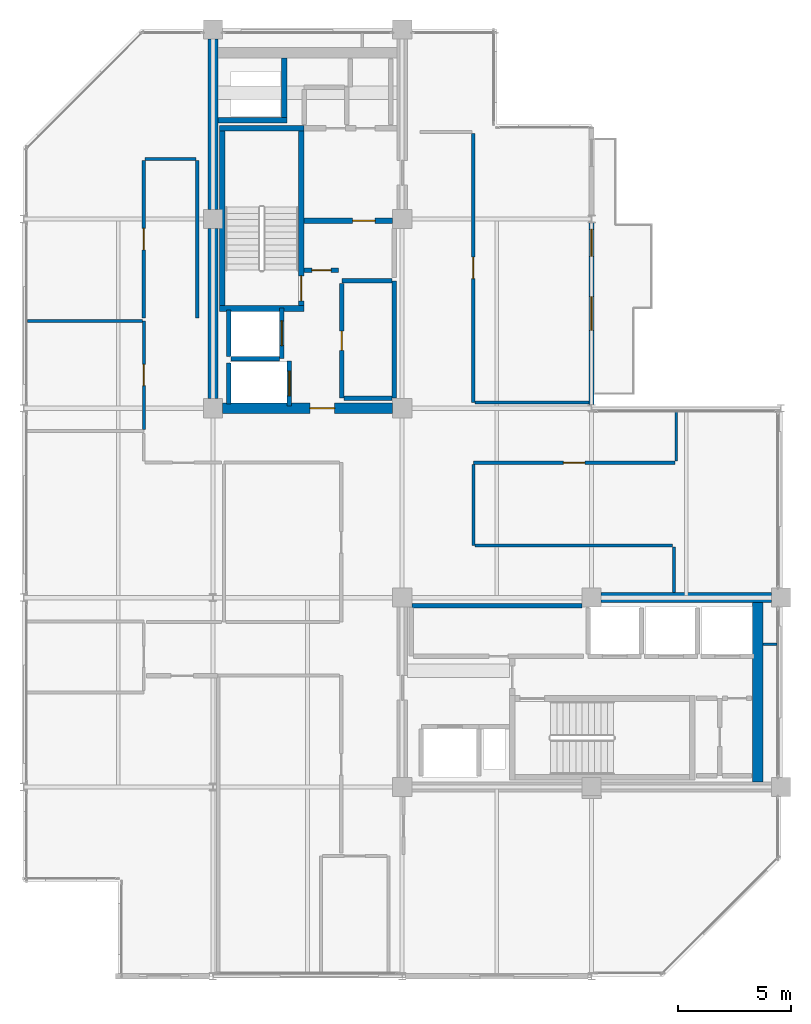
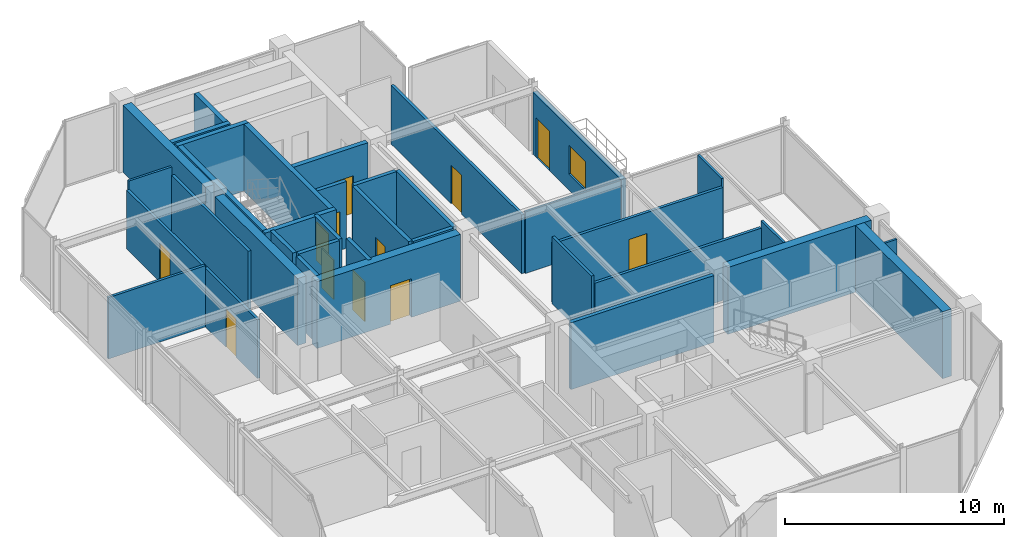
# One storey, part 21 of 24: 37 walls, 12 doors, 1 window, 13 openings.
"""IFC4 building model written with IfcOpenShell, lengths in metres."""

from ifc_helpers import new_model, si_unit, direction, frame, frame_2d, origin, place, context, subcontext, project, spatial, rectangle, extrude, material, layer, layer_set, type_object, element, fill, save


model = new_model("IFC4")

# Units and contexts
model_context = context("Model", 3, precision=1e-05, world=origin(), true_north=direction((0.0, 1.0)))
body_context = subcontext(model_context, "Body", "Model", "MODEL_VIEW")
ifc_project = project(units=[si_unit("LENGTHUNIT", "METRE"), si_unit("AREAUNIT", "SQUARE_METRE"), si_unit("VOLUMEUNIT", "CUBIC_METRE"), si_unit("PLANEANGLEUNIT", "RADIAN"), si_unit("MASSUNIT", "GRAM", prefix="KILO")], contexts=[model_context])

# Site, building, storey
site_placement = place(None, origin())
site = spatial("IfcSite", under=ifc_project, at=site_placement, CompositionType="ELEMENT")
building_placement = place(site_placement, origin())
building = spatial("IfcBuilding", under=site, at=building_placement, Name="Nerrivon Quay Data Exchange", CompositionType="ELEMENT")
storey_placement = place(building_placement, frame((0.0, 0.0, 306.199951171875)))
storey = spatial("IfcBuildingStorey", under=building, at=storey_placement, Name="L73", CompositionType="ELEMENT", Elevation=306.199951171875)

# Wall, openings, door, window
ifc_material_1 = material(Name="Architectural terracotta precast concrete N50 (50 MPa)", Category="masonry")
ifc_layer_1 = layer(ifc_material_1, 0.239990234375)
ifc_layer_set_1 = layer_set([ifc_layer_1], Name="Architectural terracotta precast concrete N50 (50 MPa)")
wall_type_1 = type_object("IfcWallType", Name="EW-PREC-240", PredefinedType="STANDARD", material=ifc_layer_set_1)
wall_1_placement = place(storey_placement, frame((25.199951171875, 33.4365234375, 0.0), z_axis=(0.0, 0.0, 1.0), x_axis=(0.0, -1.0, 0.0)))
wall_1 = element("IfcWall", 1, at=wall_1_placement, inside=storey, type_object=wall_type_1, Name="L73 Terrace Host Wall 20", PredefinedType="STANDARD", context=body_context, shape_type="SweptSolid", body=[
    extrude(rectangle(XDim=8.072998046875, YDim=0.239990234375, at=frame_2d((4.03662109375, 0.0))), origin(), (0.0, 0.0, 1.0), 3.47509765625),
])
opening_1_placement = place(wall_1_placement, frame((0.300048828125, 0.0, 0.0)))
opening_1 = element("IfcOpeningElement", 2, at=opening_1_placement, cuts=wall_1, Name="Opening TD1", PredefinedType="OPENING", context=body_context, shape_type="SweptSolid", body=[
    extrude(rectangle(XDim=1.199951171875, YDim=2.199951171875, at=frame_2d((0.60009765625, 1.10009765625))), frame((0.0, 0.1298828125, 0.0), z_axis=(0.0, -1.0, 0.0), x_axis=(1.0, 0.0, 0.0)), (0.0, 0.0, 1.0), 0.260009765625),
])
opening_2_placement = place(wall_1_placement, frame((3.281494140625, 0.0, 0.89990234375)))
opening_2 = element("IfcOpeningElement", 3, at=opening_2_placement, cuts=wall_1, Name="Opening WN4", PredefinedType="OPENING", context=body_context, shape_type="SweptSolid", body=[
    extrude(rectangle(XDim=1.5, YDim=1.60009765625, at=frame_2d((0.75, 0.800048828125))), frame((0.0, 0.1298828125, 0.0), z_axis=(0.0, -1.0, 0.0), x_axis=(1.0, 0.0, 0.0)), (0.0, 0.0, 1.0), 0.260009765625),
])
ifc_material_2 = material(Name="Double-glazed low-E solar control glass", Category="glass")
door_type_1 = type_object("IfcDoorType", Name="DR-TERR-1200x2200", OperationType="NOTDEFINED", PredefinedType="DOOR", material=ifc_material_2)
door_1_placement = place(opening_1_placement, origin())
door_1 = element("IfcDoor", 4, at=door_1_placement, inside=storey, type_object=door_type_1, Name="L73 Outdoor Terrace Access Door 20", OperationType="SINGLE_SWING_LEFT", OverallHeight=2.199951171875, OverallWidth=1.199951171875, PredefinedType="DOOR", context=body_context, shape_type="SweptSolid", body=[
    extrude(rectangle(XDim=1.199951171875, YDim=2.199951171875, at=frame_2d((0.60009765625, 1.10009765625))), frame((0.0, 0.02490234375, 0.0), z_axis=(0.0, -1.0, 0.0), x_axis=(1.0, 0.0, 0.0)), (0.0, 0.0, 1.0), 0.050048828125),
])
fill(opening_1, door_1)
window_type = type_object("IfcWindowType", Name="WIN-W4-1500x1600", PartitioningType="SINGLE_PANEL", PredefinedType="WINDOW", material=ifc_material_2)
window_placement = place(opening_2_placement, origin())
window = element("IfcWindow", 5, at=window_placement, inside=storey, type_object=window_type, Name="L73 Terrace Side Window 20", OverallHeight=1.60009765625, OverallWidth=1.5, PartitioningType="SINGLE_PANEL", PredefinedType="WINDOW", context=body_context, shape_type="SweptSolid", body=[
    extrude(rectangle(XDim=1.5, YDim=1.60009765625, at=frame_2d((0.75, 0.800048828125))), frame((0.0, 0.030029296875, 0.0), z_axis=(0.0, -1.0, 0.0), x_axis=(1.0, 0.0, 0.0)), (0.0, 0.0, 1.0), 0.06005859375),
])
fill(opening_2, window)

# Walls
ifc_material_3 = material(Name="Concrete N50 (50 MPa)", Category="concrete")
ifc_layer_2 = layer(ifc_material_3, 0.449951171875)
ifc_layer_set_2 = layer_set([ifc_layer_2], Name="Concrete N50 (50 MPa)")
wall_type_2 = type_object("IfcWallType", Name="WALL-CW-550", PredefinedType="SHEAR", material=ifc_layer_set_2)
for number, where, z_axis, x_axis, name in (
    (6, (8.39990234375, 25.625, 0.0), (0.0, 0.0, 1.0), (0.0, 1.0, 0.0), "L73 West Split-Core Shear Wall WCW-W1"),
    (7, (8.39990234375, 34.02490234375, 0.0), (0.0, 0.0, 1.0), (0.0, 1.0, 0.0), "L73 West Split-Core Shear Wall WCW-W2"),
):
    element("IfcWall", number, at=place(storey_placement, frame(where, z_axis=z_axis, x_axis=x_axis)), inside=storey, type_object=wall_type_2, Name=name, PredefinedType="SHEAR", context=body_context, shape_type="SweptSolid", body=[
        extrude(rectangle(XDim=7.550048828125, YDim=0.449951171875, at=frame_2d((3.77490234375, 0.0))), origin(), (0.0, 0.0, 1.0), 3.72509765625),
    ])

# Wall, opening, door
wall_2_placement = place(storey_placement, frame((8.824951171875, 25.199951171875, 0.0), z_axis=(0.0, 0.0, 1.0), x_axis=(1.0, 0.0, 0.0)))
wall_2 = element("IfcWall", 8, at=wall_2_placement, inside=storey, type_object=wall_type_2, Name="L73 West Split-Core Shear Wall WCW-S1", PredefinedType="SHEAR", context=body_context, shape_type="SweptSolid", body=[
    extrude(rectangle(XDim=7.550048828125, YDim=0.449951171875, at=frame_2d((3.77490234375, 0.0))), origin(), (0.0, 0.0, 1.0), 3.72509765625),
])
opening_3_placement = place(wall_2_placement, frame((3.875, 0.0, 0.0)))
opening_3 = element("IfcOpeningElement", 9, at=opening_3_placement, cuts=wall_2, Name="Opening FD-120", PredefinedType="OPENING", context=body_context, shape_type="SweptSolid", body=[
    extrude(rectangle(XDim=1.10009765625, YDim=2.14990234375, at=frame_2d((0.550048828125, 1.074951171875))), frame((0.0, 0.23486328125, 0.0), z_axis=(0.0, -1.0, 0.0), x_axis=(1.0, 0.0, 0.0)), (0.0, 0.0, 1.0), 0.469970703125),
])
ifc_material_4 = material(Name="Powder-coated galvanized steel sheet", Category="steel")
door_type_2 = type_object("IfcDoorType", Name="DR-FD120-1100", OperationType="NOTDEFINED", PredefinedType="DOOR", material=ifc_material_4)
door_2_placement = place(opening_3_placement, origin())
door_2 = element("IfcDoor", 10, at=door_2_placement, inside=storey, type_object=door_type_2, Name="L73 West Core Lobby Fire Door", OperationType="SINGLE_SWING_RIGHT", OverallHeight=2.14990234375, OverallWidth=1.10009765625, PredefinedType="DOOR", context=body_context, shape_type="SweptSolid", body=[
    extrude(rectangle(XDim=1.10009765625, YDim=2.14990234375, at=frame_2d((0.550048828125, 1.074951171875))), frame((0.0, 0.02490234375, 0.0), z_axis=(0.0, -1.0, 0.0), x_axis=(1.0, 0.0, 0.0)), (0.0, 0.0, 1.0), 0.050048828125),
])
fill(opening_3, door_2)

# Walls
wall_3_placement = place(storey_placement, frame((32.574951171875, 8.625, 0.0), z_axis=(0.0, 0.0, 1.0), x_axis=(0.0, 1.0, 0.0)))
element("IfcWall", 11, at=wall_3_placement, inside=storey, type_object=wall_type_2, Name="L73 East Split-Core Shear Wall ECW-E1", PredefinedType="SHEAR", context=body_context, shape_type="SweptSolid", body=[
    extrude(rectangle(XDim=7.949951171875, YDim=0.449951171875, at=frame_2d((3.97509765625, 0.0))), origin(), (0.0, 0.0, 1.0), 3.72509765625),
])
wall_4_placement = place(storey_placement, frame((25.625, 16.800048828125, 0.0), z_axis=(0.0, 0.0, 1.0), x_axis=(1.0, 0.0, 0.0)))
element("IfcWall", 12, at=wall_4_placement, inside=storey, type_object=wall_type_2, Name="L73 East Split-Core Shear Wall ECW-N1", PredefinedType="SHEAR", context=body_context, shape_type="SweptSolid", body=[
    extrude(rectangle(XDim=7.550048828125, YDim=0.449951171875, at=frame_2d((3.77490234375, 0.0))), origin(), (0.0, 0.0, 1.0), 3.72509765625),
])

# Wall, opening, door
ifc_material_5 = material(Name="Gypsum plasterboard on cold-formed framing", Category="gypsum")
ifc_layer_3 = layer(ifc_material_5, 0.199951171875)
ifc_layer_set_3 = layer_set([ifc_layer_3], Name="Gypsum plasterboard on cold-formed framing")
wall_type_3 = type_object("IfcWallType", Name="WALL-FW-200", PredefinedType="PARTITIONING", material=ifc_layer_set_3)
wall_5_placement = place(storey_placement, frame((11.449951171875, 27.39990234375, 0.0), z_axis=(0.0, 0.0, 1.0), x_axis=(0.0, 1.0, 0.0)))
wall_5 = element("IfcWall", 13, at=wall_5_placement, inside=storey, type_object=wall_type_3, Name="L73 Lift Front Wall FFL-1", PredefinedType="PARTITIONING", context=body_context, shape_type="SweptSolid", body=[
    extrude(rectangle(XDim=2.25, YDim=0.199951171875, at=frame_2d((1.125, 0.0))), origin(), (0.0, 0.0, 1.0), 3.72509765625),
])
opening_4_placement = place(wall_5_placement, frame((0.574951171875, 0.0, 0.0)))
opening_4 = element("IfcOpeningElement", 14, at=opening_4_placement, cuts=wall_5, Name="Opening LD-120", PredefinedType="OPENING", context=body_context, shape_type="SweptSolid", body=[
    extrude(rectangle(XDim=1.10009765625, YDim=2.199951171875, at=frame_2d((0.550048828125, 1.10009765625))), frame((0.0, 0.10986328125, 0.0), z_axis=(0.0, -1.0, 0.0), x_axis=(1.0, 0.0, 0.0)), (0.0, 0.0, 1.0), 0.219970703125),
])
door_type_3 = type_object("IfcDoorType", Name="DR-LIFT-LD120", OperationType="DOUBLE_DOOR_SLIDING", PredefinedType="DOOR", material=ifc_material_4)
door_3_placement = place(opening_4_placement, origin())
door_3 = element("IfcDoor", 15, at=door_3_placement, inside=storey, type_object=door_type_3, Name="L73 Lift Landing Sliding Door FFL-1", OperationType="DOUBLE_DOOR_SLIDING", OverallHeight=2.199951171875, OverallWidth=1.10009765625, PredefinedType="DOOR", context=body_context, shape_type="SweptSolid", body=[
    extrude(rectangle(XDim=1.10009765625, YDim=2.199951171875, at=frame_2d((0.550048828125, 1.10009765625))), frame((0.0, 0.02490234375, 0.0), z_axis=(0.0, -1.0, 0.0), x_axis=(1.0, 0.0, 0.0)), (0.0, 0.0, 1.0), 0.050048828125),
])
fill(opening_4, door_3)

# Walls
wall_6_placement = place(storey_placement, frame((9.10009765625, 27.5, 0.0), z_axis=(0.0, 0.0, 1.0), x_axis=(0.0, 1.0, 0.0)))
element("IfcWall", 16, at=wall_6_placement, inside=storey, type_object=wall_type_3, Name="L73 Lift Shaft Wall FFL-1 WEST", PredefinedType="PARTITIONING", context=body_context, shape_type="SweptSolid", body=[
    extrude(rectangle(XDim=2.050048828125, YDim=0.199951171875, at=frame_2d((1.02490234375, 0.0))), origin(), (0.0, 0.0, 1.0), 3.72509765625),
])
wall_7_placement = place(storey_placement, frame((9.199951171875, 27.39990234375, 0.0), z_axis=(0.0, 0.0, 1.0), x_axis=(1.0, 0.0, 0.0)))
element("IfcWall", 17, at=wall_7_placement, inside=storey, type_object=wall_type_3, Name="L73 Lift Shaft Wall FFL-1 SOUTH", PredefinedType="PARTITIONING", context=body_context, shape_type="SweptSolid", body=[
    extrude(rectangle(XDim=2.150146484375, YDim=0.199951171875, at=frame_2d((1.0751953125, 0.0))), origin(), (0.0, 0.0, 1.0), 3.72509765625),
])

# Wall, opening, door
wall_8_placement = place(storey_placement, frame((11.800048828125, 25.300048828125, 0.0), z_axis=(0.0, 0.0, 1.0), x_axis=(0.0, 1.0, 0.0)))
wall_8 = element("IfcWall", 18, at=wall_8_placement, inside=storey, type_object=wall_type_3, Name="L73 Lift Front Wall SVL-1", PredefinedType="PARTITIONING", context=body_context, shape_type="SweptSolid", body=[
    extrude(rectangle(XDim=2.0, YDim=0.199951171875, at=frame_2d((1.0, 0.0))), origin(), (0.0, 0.0, 1.0), 3.72509765625),
])
opening_5_placement = place(wall_8_placement, frame((0.449951171875, 0.0, 0.0)))
opening_5 = element("IfcOpeningElement", 19, at=opening_5_placement, cuts=wall_8, Name="Opening LD-120", PredefinedType="OPENING", context=body_context, shape_type="SweptSolid", body=[
    extrude(rectangle(XDim=1.10009765625, YDim=2.199951171875, at=frame_2d((0.550048828125, 1.10009765625))), frame((0.0, 0.10986328125, 0.0), z_axis=(0.0, -1.0, 0.0), x_axis=(1.0, 0.0, 0.0)), (0.0, 0.0, 1.0), 0.219970703125),
])
door_4_placement = place(opening_5_placement, origin())
door_4 = element("IfcDoor", 20, at=door_4_placement, inside=storey, type_object=door_type_3, Name="L73 Lift Landing Sliding Door SVL-1", OperationType="DOUBLE_DOOR_SLIDING", OverallHeight=2.199951171875, OverallWidth=1.10009765625, PredefinedType="DOOR", context=body_context, shape_type="SweptSolid", body=[
    extrude(rectangle(XDim=1.10009765625, YDim=2.199951171875, at=frame_2d((0.550048828125, 1.10009765625))), frame((0.0, 0.02490234375, 0.0), z_axis=(0.0, -1.0, 0.0), x_axis=(1.0, 0.0, 0.0)), (0.0, 0.0, 1.0), 0.050048828125),
])
fill(opening_5, door_4)

# Walls
wall_9_placement = place(storey_placement, frame((9.10009765625, 25.39990234375, 0.0), z_axis=(0.0, 0.0, 1.0), x_axis=(0.0, 1.0, 0.0)))
element("IfcWall", 21, at=wall_9_placement, inside=storey, type_object=wall_type_3, Name="L73 Lift Shaft Wall SVL-1 WEST", PredefinedType="PARTITIONING", context=body_context, shape_type="SweptSolid", body=[
    extrude(rectangle(XDim=1.800048828125, YDim=0.199951171875, at=frame_2d((0.89990234375, 0.0))), origin(), (0.0, 0.0, 1.0), 3.72509765625),
])
wall_10_placement = place(storey_placement, frame((16.449951171875, 25.64990234375, 0.0), z_axis=(0.0, 0.0, 1.0), x_axis=(0.0, 1.0, 0.0)))
element("IfcWall", 22, at=wall_10_placement, inside=storey, type_object=wall_type_3, Name="L73 Partition Fibre Patch Store", PredefinedType="PARTITIONING", context=body_context, shape_type="SweptSolid", body=[
    extrude(rectangle(XDim=5.2001953125, YDim=0.199951171875, at=frame_2d((2.60009765625, 0.0))), origin(), (0.0, 0.0, 1.0), 3.72509765625),
])
wall_11_placement = place(storey_placement, frame((16.345947265625, 30.85009765625, 0.0), z_axis=(0.0, 0.0, 1.0), x_axis=(-1.0, 0.0, 0.0)))
element("IfcWall", 23, at=wall_11_placement, inside=storey, type_object=wall_type_3, Name="L73 Partition Fibre Patch Store", PredefinedType="PARTITIONING", context=body_context, shape_type="SweptSolid", body=[
    extrude(rectangle(XDim=2.225830078125, YDim=0.199951171875, at=frame_2d((1.11279296875, 0.0))), origin(), (0.0, 0.0, 1.0), 3.72509765625),
])

# Wall, opening, door
wall_12_placement = place(storey_placement, frame((14.1201171875, 30.74609375, 0.0), z_axis=(0.0, 0.0, 1.0), x_axis=(0.0, -1.0, 0.0)))
wall_12 = element("IfcWall", 24, at=wall_12_placement, inside=storey, type_object=wall_type_3, Name="L73 Partition Fibre Patch Store", PredefinedType="PARTITIONING", context=body_context, shape_type="SweptSolid", body=[
    extrude(rectangle(XDim=5.09619140625, YDim=0.199951171875, at=frame_2d((2.548095703125, 0.0))), origin(), (0.0, 0.0, 1.0), 3.72509765625),
])
opening_6_placement = place(wall_12_placement, frame((2.123046875, 0.0, 0.0)))
opening_6 = element("IfcOpeningElement", 25, at=opening_6_placement, cuts=wall_12, Name="Opening FD-60S", PredefinedType="OPENING", context=body_context, shape_type="SweptSolid", body=[
    extrude(rectangle(XDim=0.85009765625, YDim=2.14990234375, at=frame_2d((0.425048828125, 1.074951171875))), frame((0.0, 0.10986328125, 0.0), z_axis=(0.0, -1.0, 0.0), x_axis=(1.0, 0.0, 0.0)), (0.0, 0.0, 1.0), 0.219970703125),
])
ifc_material_6 = material(Name="Engineered hardwood timber", Category="wood")
door_type_4 = type_object("IfcDoorType", Name="DR-FD60-850", OperationType="NOTDEFINED", PredefinedType="DOOR", material=ifc_material_6)
door_5_placement = place(opening_6_placement, origin())
door_5 = element("IfcDoor", 26, at=door_5_placement, inside=storey, type_object=door_type_4, Name="L73 Door Fibre Patch Store", OperationType="SINGLE_SWING_RIGHT", OverallHeight=2.14990234375, OverallWidth=0.85009765625, PredefinedType="DOOR", context=body_context, shape_type="SweptSolid", body=[
    extrude(rectangle(XDim=0.85009765625, YDim=2.14990234375, at=frame_2d((0.425048828125, 1.074951171875))), frame((0.0, 0.02490234375, 0.0), z_axis=(0.0, -1.0, 0.0), x_axis=(1.0, 0.0, 0.0)), (0.0, 0.0, 1.0), 0.050048828125),
])
fill(opening_6, door_5)

# Wall
wall_13_placement = place(storey_placement, frame((14.22412109375, 25.64990234375, 0.0), z_axis=(0.0, 0.0, 1.0), x_axis=(1.0, 0.0, 0.0)))
element("IfcWall", 27, at=wall_13_placement, inside=storey, type_object=wall_type_3, Name="L73 Partition Fibre Patch Store", PredefinedType="PARTITIONING", context=body_context, shape_type="SweptSolid", body=[
    extrude(rectangle(XDim=2.121826171875, YDim=0.199951171875, at=frame_2d((1.06103515625, 0.0))), origin(), (0.0, 0.0, 1.0), 3.72509765625),
])

# Wall, opening, door
wall_14_placement = place(storey_placement, frame((12.4541015625, 31.320068359375, 0.0), z_axis=(0.0, 0.0, 1.0), x_axis=(0.999999949061, -0.000319182876, 0.0)))
wall_14 = element("IfcWall", 28, at=wall_14_placement, inside=storey, type_object=wall_type_3, Name="L73 Partition Core Equipment Closet", PredefinedType="PARTITIONING", context=body_context, shape_type="SweptSolid", body=[
    extrude(rectangle(XDim=1.52978515625, YDim=0.199951171875, at=frame_2d((0.764892578125, 0.0))), origin(), (0.0, 0.0, 1.0), 3.72509765625),
])
opening_7_placement = place(wall_14_placement, frame((0.340087890625, 0.0, 0.0)))
opening_7 = element("IfcOpeningElement", 29, at=opening_7_placement, cuts=wall_14, Name="Opening FD-60S", PredefinedType="OPENING", context=body_context, shape_type="SweptSolid", body=[
    extrude(rectangle(XDim=0.85009765625, YDim=2.14990234375, at=frame_2d((0.425048828125, 1.074951171875))), frame((0.0, 0.10986328125, 0.0), z_axis=(0.0, -1.0, 0.0), x_axis=(1.0, 0.0, 0.0)), (0.0, 0.0, 1.0), 0.219970703125),
])
door_6_placement = place(opening_7_placement, origin())
door_6 = element("IfcDoor", 30, at=door_6_placement, inside=storey, type_object=door_type_4, Name="L73 Door Core Equipment Closet", OperationType="SINGLE_SWING_LEFT", OverallHeight=2.14990234375, OverallWidth=0.85009765625, PredefinedType="DOOR", context=body_context, shape_type="SweptSolid", body=[
    extrude(rectangle(XDim=0.85009765625, YDim=2.14990234375, at=frame_2d((0.425048828125, 1.074951171875))), frame((0.0, 0.02490234375, 0.0), z_axis=(0.0, -1.0, 0.0), x_axis=(1.0, 0.0, 0.0)), (0.0, 0.0, 1.0), 0.050048828125),
])
fill(opening_7, door_6)

# Walls
wall_15_placement = place(storey_placement, frame((24.77001953125, 16.449951171875, 0.0), z_axis=(0.0, 0.0, 1.0), x_axis=(-1.0, 0.0, 0.0)))
element("IfcWall", 31, at=wall_15_placement, inside=storey, type_object=wall_type_3, Name="L73 Partition High-Zone Patching Archive", PredefinedType="PARTITIONING", context=body_context, shape_type="SweptSolid", body=[
    extrude(rectangle(XDim=7.5400390625, YDim=0.199951171875, at=frame_2d((3.77001953125, 0.0))), origin(), (0.0, 0.0, 1.0), 3.72509765625),
])
ifc_layer_4 = layer(ifc_material_5, 0.1201171875)
ifc_layer_set_4 = layer_set([ifc_layer_4], Name="Gypsum plasterboard on cold-formed framing")
wall_type_4 = type_object("IfcWallType", Name="WALL-PT-120", PredefinedType="PARTITIONING", material=ifc_layer_set_4)
wall_16_placement = place(storey_placement, frame((28.860107421875, 19.050048828125, 0.0), z_axis=(0.0, 0.0, 1.0), x_axis=(0.0, -1.0, 0.0)))
element("IfcWall", 32, at=wall_16_placement, inside=storey, type_object=wall_type_4, Name="L73 Partition Peering Huddle Meeting Room", PredefinedType="PARTITIONING", context=body_context, shape_type="SweptSolid", body=[
    extrude(rectangle(XDim=2.02099609375, YDim=0.1201171875, at=frame_2d((1.010498046875, 0.0))), origin(), (0.0, 0.0, 1.0), 3.72509765625),
])
wall_17_placement = place(storey_placement, frame((32.803955078125, 14.72998046875, 0.0), z_axis=(0.0, 0.0, 1.0), x_axis=(1.0, 0.0, 0.0)))
element("IfcWall", 33, at=wall_17_placement, inside=storey, type_object=wall_type_4, Name="L73 Partition Peering Huddle Meeting Room", PredefinedType="PARTITIONING", context=body_context, shape_type="SweptSolid", body=[
    extrude(rectangle(XDim=0.626953125, YDim=0.1201171875, at=frame_2d((0.3134765625, 0.0))), origin(), (0.0, 0.0, 1.0), 3.72509765625),
])
wall_18_placement = place(storey_placement, frame((28.9599609375, 25.031005859375, 0.0), z_axis=(0.0, 0.0, 1.0), x_axis=(0.0, -1.0, 0.0)))
element("IfcWall", 34, at=wall_18_placement, inside=storey, type_object=wall_type_4, Name="L73 Partition Peering Huddle Meeting Room", PredefinedType="PARTITIONING", context=body_context, shape_type="SweptSolid", body=[
    extrude(rectangle(XDim=2.180908203125, YDim=0.1201171875, at=frame_2d((1.09033203125, 0.0))), origin(), (0.0, 0.0, 1.0), 3.72509765625),
])
wall_19_placement = place(storey_placement, frame((5.39990234375, 36.260009765625, 0.0), z_axis=(0.0, 0.0, 1.0), x_axis=(1.0, 0.0, 0.0)))
element("IfcWall", 35, at=wall_19_placement, inside=storey, type_object=wall_type_4, Name="L73 Partition Technical Library", PredefinedType="PARTITIONING", context=body_context, shape_type="SweptSolid", body=[
    extrude(rectangle(XDim=2.25, YDim=0.1201171875, at=frame_2d((1.125, 0.0))), origin(), (0.0, 0.0, 1.0), 3.72509765625),
])

# Wall, opening, door
ifc_layer_5 = layer(ifc_material_5, 0.135009765625)
ifc_layer_set_5 = layer_set([ifc_layer_5], Name="Gypsum plasterboard on cold-formed framing")
wall_type_5 = type_object("IfcWallType", Name="WALL-PT-135", PredefinedType="PARTITIONING", material=ifc_layer_set_5)
wall_20_placement = place(storey_placement, frame((5.340087890625, 24.26708984375, 0.0), z_axis=(0.0, 0.0, 1.0), x_axis=(0.0, 1.0, 0.0)))
wall_20 = element("IfcWall", 36, at=wall_20_placement, inside=storey, type_object=wall_type_5, Name="L73 Partition Staff Pantry", PredefinedType="PARTITIONING", context=body_context, shape_type="SweptSolid", body=[
    extrude(rectangle(XDim=4.814697265625, YDim=0.135009765625, at=frame_2d((2.4072265625, 0.0))), origin(), (0.0, 0.0, 1.0), 3.27099609375),
])
opening_8_placement = place(wall_20_placement, frame((1.9326171875, 0.0, 0.0)))
opening_8 = element("IfcOpeningElement", 37, at=opening_8_placement, cuts=wall_20, Name="Opening D-01", PredefinedType="OPENING", context=body_context, shape_type="SweptSolid", body=[
    extrude(rectangle(XDim=0.949951171875, YDim=2.14990234375, at=frame_2d((0.47509765625, 1.074951171875))), frame((0.0, 0.077392578125, 0.0), z_axis=(0.0, -1.0, 0.0), x_axis=(1.0, 0.0, 0.0)), (0.0, 0.0, 1.0), 0.155029296875),
])
door_type_5 = type_object("IfcDoorType", Name="DR-INT-950", OperationType="NOTDEFINED", PredefinedType="DOOR", material=ifc_material_6)
door_7_placement = place(opening_8_placement, origin())
door_7 = element("IfcDoor", 38, at=door_7_placement, inside=storey, type_object=door_type_5, Name="L73 Door Staff Pantry", OperationType="SINGLE_SWING_LEFT", OverallHeight=2.14990234375, OverallWidth=0.949951171875, PredefinedType="DOOR", context=body_context, shape_type="SweptSolid", body=[
    extrude(rectangle(XDim=0.949951171875, YDim=2.14990234375, at=frame_2d((0.47509765625, 1.074951171875))), frame((0.0, 0.02490234375, 0.0), z_axis=(0.0, -1.0, 0.0), x_axis=(1.0, 0.0, 0.0)), (0.0, 0.0, 1.0), 0.050048828125),
])
fill(opening_8, door_7)

# Walls
wall_21_placement = place(storey_placement, frame((5.2685546875, 29.081787109375, 0.0), z_axis=(0.0, 0.0, 1.0), x_axis=(-1.0, 0.0, 0.0)))
element("IfcWall", 39, at=wall_21_placement, inside=storey, type_object=wall_type_5, Name="L73 Partition Staff Pantry", PredefinedType="PARTITIONING", context=body_context, shape_type="SweptSolid", body=[
    extrude(rectangle(XDim=5.099609375, YDim=0.135009765625, at=frame_2d((2.5498046875, 0.0))), origin(), (0.0, 0.0, 1.0), 3.421142578125),
])
wall_22_placement = place(storey_placement, frame((19.9599609375, 22.7109375, 0.0), z_axis=(0.0, 0.0, 1.0), x_axis=(0.0, -1.0, 0.0)))
element("IfcWall", 40, at=wall_22_placement, inside=storey, type_object=wall_type_5, Name="L73 Partition Peering Huddle Meeting Room", PredefinedType="PARTITIONING", context=body_context, shape_type="SweptSolid", body=[
    extrude(rectangle(XDim=3.600830078125, YDim=0.135009765625, at=frame_2d((1.80029296875, 0.0))), origin(), (0.0, 0.0, 1.0), 3.72509765625),
])
wall_23_placement = place(storey_placement, frame((20.0390625, 25.46337890625, 0.0), z_axis=(0.0, 0.0, 1.0), x_axis=(1.0, 0.0, 0.0)))
element("IfcWall", 41, at=wall_23_placement, inside=storey, type_object=wall_type_5, Name="L73 Partition Cloud Compute Workspace 1", PredefinedType="PARTITIONING", context=body_context, shape_type="SweptSolid", body=[
    extrude(rectangle(XDim=5.036865234375, YDim=0.135009765625, at=frame_2d((2.5185546875, 0.0))), origin(), (0.0, 0.0, 1.0), 3.421142578125),
])

# Wall, opening, door
ifc_layer_6 = layer(ifc_material_5, 0.14990234375)
ifc_layer_set_6 = layer_set([ifc_layer_6], Name="Gypsum plasterboard on cold-formed framing")
wall_type_6 = type_object("IfcWallType", Name="WALL-PT-150", PredefinedType="PARTITIONING", material=ifc_layer_set_6)
wall_24_placement = place(storey_placement, frame((28.89990234375, 22.7900390625, 0.0), z_axis=(0.0, 0.0, 1.0), x_axis=(-1.0, 0.0, 0.0)))
wall_24 = element("IfcWall", 42, at=wall_24_placement, inside=storey, type_object=wall_type_6, Name="L73 Partition Peering Huddle Meeting Room", PredefinedType="PARTITIONING", context=body_context, shape_type="SweptSolid", body=[
    extrude(rectangle(XDim=8.93994140625, YDim=0.14990234375, at=frame_2d((4.469970703125, 0.0))), origin(), (0.0, 0.0, 1.0), 3.319091796875),
])
opening_9_placement = place(wall_24_placement, frame((3.9951171875, 0.0, 0.0)))
opening_9 = element("IfcOpeningElement", 43, at=opening_9_placement, cuts=wall_24, Name="Opening D-01", PredefinedType="OPENING", context=body_context, shape_type="SweptSolid", body=[
    extrude(rectangle(XDim=0.949951171875, YDim=2.14990234375, at=frame_2d((0.47509765625, 1.074951171875))), frame((0.0, 0.0849609375, 0.0), z_axis=(0.0, -1.0, 0.0), x_axis=(1.0, 0.0, 0.0)), (0.0, 0.0, 1.0), 0.169921875),
])
door_8_placement = place(opening_9_placement, origin())
door_8 = element("IfcDoor", 44, at=door_8_placement, inside=storey, type_object=door_type_5, Name="L73 Door Peering Huddle Meeting Room", OperationType="SINGLE_SWING_LEFT", OverallHeight=2.14990234375, OverallWidth=0.949951171875, PredefinedType="DOOR", context=body_context, shape_type="SweptSolid", body=[
    extrude(rectangle(XDim=0.949951171875, YDim=2.14990234375, at=frame_2d((0.47509765625, 1.074951171875))), frame((0.0, 0.02490234375, 0.0), z_axis=(0.0, -1.0, 0.0), x_axis=(1.0, 0.0, 0.0)), (0.0, 0.0, 1.0), 0.050048828125),
])
fill(opening_9, door_8)

# Walls
wall_25_placement = place(storey_placement, frame((20.031494140625, 19.110107421875, 0.0), z_axis=(0.0, 0.0, 1.0), x_axis=(1.0, 0.0, 0.0)))
element("IfcWall", 45, at=wall_25_placement, inside=storey, type_object=wall_type_6, Name="L73 Partition Peering Huddle Meeting Room", PredefinedType="PARTITIONING", context=body_context, shape_type="SweptSolid", body=[
    extrude(rectangle(XDim=8.7685546875, YDim=0.14990234375, at=frame_2d((4.38427734375, 0.0))), origin(), (0.0, 0.0, 1.0), 3.319091796875),
])
wall_26_placement = place(storey_placement, frame((7.7099609375, 36.199951171875, 0.0), z_axis=(0.0, 0.0, 1.0), x_axis=(0.0, -1.0, 0.0)))
element("IfcWall", 46, at=wall_26_placement, inside=storey, type_object=wall_type_6, Name="L73 Partition Technical Library", PredefinedType="PARTITIONING", context=body_context, shape_type="SweptSolid", body=[
    extrude(rectangle(XDim=6.998046875, YDim=0.14990234375, at=frame_2d((3.4990234375, 0.0))), origin(), (0.0, 0.0, 1.0), 3.27099609375),
])

# Wall, opening, door
wall_27_placement = place(storey_placement, frame((5.340087890625, 29.201904296875, 0.0), z_axis=(0.0, 0.0, 1.0), x_axis=(0.0, 1.0, 0.0)))
wall_27 = element("IfcWall", 47, at=wall_27_placement, inside=storey, type_object=wall_type_6, Name="L73 Partition Technical Library", PredefinedType="PARTITIONING", context=body_context, shape_type="SweptSolid", body=[
    extrude(rectangle(XDim=6.998046875, YDim=0.14990234375, at=frame_2d((3.4990234375, 0.0))), origin(), (0.0, 0.0, 1.0), 3.27099609375),
])
opening_10_placement = place(wall_27_placement, frame((3.024169921875, 0.0, 0.0)))
opening_10 = element("IfcOpeningElement", 48, at=opening_10_placement, cuts=wall_27, Name="Opening D-01", PredefinedType="OPENING", context=body_context, shape_type="SweptSolid", body=[
    extrude(rectangle(XDim=0.949951171875, YDim=2.14990234375, at=frame_2d((0.47509765625, 1.074951171875))), frame((0.0, 0.0849609375, 0.0), z_axis=(0.0, -1.0, 0.0), x_axis=(1.0, 0.0, 0.0)), (0.0, 0.0, 1.0), 0.169921875),
])
door_9_placement = place(opening_10_placement, origin())
door_9 = element("IfcDoor", 49, at=door_9_placement, inside=storey, type_object=door_type_5, Name="L73 Door Technical Library", OperationType="SINGLE_SWING_RIGHT", OverallHeight=2.14990234375, OverallWidth=0.949951171875, PredefinedType="DOOR", context=body_context, shape_type="SweptSolid", body=[
    extrude(rectangle(XDim=0.949951171875, YDim=2.14990234375, at=frame_2d((0.47509765625, 1.074951171875))), frame((0.0, 0.02490234375, 0.0), z_axis=(0.0, -1.0, 0.0), x_axis=(1.0, 0.0, 0.0)), (0.0, 0.0, 1.0), 0.050048828125),
])
fill(opening_10, door_9)

wall_28_placement = place(storey_placement, frame((19.9599609375, 37.39990234375, 0.0), z_axis=(0.0, 0.0, 1.0), x_axis=(0.0, -1.0, 0.0)))
wall_28 = element("IfcWall", 50, at=wall_28_placement, inside=storey, type_object=wall_type_6, Name="L73 Partition Cloud Compute Workspace 1", PredefinedType="PARTITIONING", context=body_context, shape_type="SweptSolid", body=[
    extrude(rectangle(XDim=11.9365234375, YDim=0.14990234375, at=frame_2d((5.96826171875, 0.0))), origin(), (0.0, 0.0, 1.0), 3.27099609375),
])
opening_11_placement = place(wall_28_placement, frame((5.493408203125, 0.0, 0.0)))
opening_11 = element("IfcOpeningElement", 51, at=opening_11_placement, cuts=wall_28, Name="Opening D-01", PredefinedType="OPENING", context=body_context, shape_type="SweptSolid", body=[
    extrude(rectangle(XDim=0.949951171875, YDim=2.14990234375, at=frame_2d((0.47509765625, 1.074951171875))), frame((0.0, 0.0849609375, 0.0), z_axis=(0.0, -1.0, 0.0), x_axis=(1.0, 0.0, 0.0)), (0.0, 0.0, 1.0), 0.169921875),
])
door_10_placement = place(opening_11_placement, origin())
door_10 = element("IfcDoor", 52, at=door_10_placement, inside=storey, type_object=door_type_5, Name="L73 Door Cloud Compute Workspace 1", OperationType="SINGLE_SWING_LEFT", OverallHeight=2.14990234375, OverallWidth=0.949951171875, PredefinedType="DOOR", context=body_context, shape_type="SweptSolid", body=[
    extrude(rectangle(XDim=0.949951171875, YDim=2.14990234375, at=frame_2d((0.47509765625, 1.074951171875))), frame((0.0, 0.02490234375, 0.0), z_axis=(0.0, -1.0, 0.0), x_axis=(1.0, 0.0, 0.0)), (0.0, 0.0, 1.0), 0.050048828125),
])
fill(opening_11, door_10)

# Walls
ifc_layer_7 = layer(ifc_material_3, 0.25)
ifc_layer_set_7 = layer_set([ifc_layer_7], Name="Concrete N50 (50 MPa)")
wall_type_7 = type_object("IfcWallType", Name="WALL-SW-250", PredefinedType="SHEAR", material=ifc_layer_set_7)
for number, where, z_axis, x_axis, name in (
    (53, (12.449951171875, 29.625, 0.0), (0.0, 0.0, 1.0), (-1.0, 0.0, 0.0), "L73 ST01 Structural Stair Core Wall NEAR"),
    (54, (12.449951171875, 37.625, 0.0), (0.0, 0.0, 1.0), (-1.0, 0.0, 0.0), "L73 ST01 Structural Stair Core Wall FAR"),
):
    element("IfcWall", number, at=place(storey_placement, frame(where, z_axis=z_axis, x_axis=x_axis)), inside=storey, type_object=wall_type_7, Name=name, PredefinedType="SHEAR", context=body_context, shape_type="SweptSolid", body=[
        extrude(rectangle(XDim=3.75, YDim=0.25, at=frame_2d((1.875, 0.0))), origin(), (0.0, 0.0, 1.0), 3.72509765625),
    ])

# Wall, opening, door
wall_29_placement = place(storey_placement, frame((12.324951171875, 29.75, 0.0), z_axis=(0.0, 0.0, 1.0), x_axis=(0.0, 1.0, 0.0)))
wall_29 = element("IfcWall", 55, at=wall_29_placement, inside=storey, type_object=wall_type_7, Name="L73 ST01 Structural Stair Core Wall LEFT", PredefinedType="SHEAR", context=body_context, shape_type="SweptSolid", body=[
    extrude(rectangle(XDim=7.75, YDim=0.25, at=frame_2d((3.875, 0.0))), origin(), (0.0, 0.0, 1.0), 3.72509765625),
])
opening_12_placement = place(wall_29_placement, frame((0.219970703125, 0.0, 0.0)))
opening_12 = element("IfcOpeningElement", 56, at=opening_12_placement, cuts=wall_29, Name="Opening FD-120", PredefinedType="OPENING", context=body_context, shape_type="SweptSolid", body=[
    extrude(rectangle(XDim=1.10009765625, YDim=2.14990234375, at=frame_2d((0.550048828125, 1.074951171875))), frame((0.0, 0.135009765625, 0.0), z_axis=(0.0, -1.0, 0.0), x_axis=(1.0, 0.0, 0.0)), (0.0, 0.0, 1.0), 0.27001953125),
])
door_11_placement = place(opening_12_placement, origin())
door_11 = element("IfcDoor", 57, at=door_11_placement, inside=storey, type_object=door_type_2, Name="L73 Protected Stair Door ST01", OperationType="SINGLE_SWING_RIGHT", OverallHeight=2.14990234375, OverallWidth=1.10009765625, PredefinedType="DOOR", context=body_context, shape_type="SweptSolid", body=[
    extrude(rectangle(XDim=1.10009765625, YDim=2.14990234375, at=frame_2d((0.550048828125, 1.074951171875))), frame((0.0, 0.02490234375, 0.0), z_axis=(0.0, -1.0, 0.0), x_axis=(1.0, 0.0, 0.0)), (0.0, 0.0, 1.0), 0.050048828125),
])
fill(opening_12, door_11)

# Walls
wall_30_placement = place(storey_placement, frame((8.824951171875, 29.75, 0.0), z_axis=(0.0, 0.0, 1.0), x_axis=(0.0, 1.0, 0.0)))
element("IfcWall", 58, at=wall_30_placement, inside=storey, type_object=wall_type_7, Name="L73 ST01 Structural Stair Core Wall RIGHT", PredefinedType="SHEAR", context=body_context, shape_type="SweptSolid", body=[
    extrude(rectangle(XDim=7.75, YDim=0.25, at=frame_2d((3.875, 0.0))), origin(), (0.0, 0.0, 1.0), 3.72509765625),
])
wall_31_placement = place(storey_placement, frame((8.625, 37.97509765625, 0.0), z_axis=(0.0, 0.0, 1.0), x_axis=(1.0, 0.0, 0.0)))
element("IfcWall", 59, at=wall_31_placement, inside=storey, type_object=wall_type_7, Name="L73 West Core MEP Riser Shaft Wall S", PredefinedType="SHEAR", context=body_context, shape_type="SweptSolid", body=[
    extrude(rectangle(XDim=3.074951171875, YDim=0.25, at=frame_2d((1.53759765625, 0.0))), origin(), (0.0, 0.0, 1.0), 3.72509765625),
])
wall_32_placement = place(storey_placement, frame((11.574951171875, 38.10009765625, 0.0), z_axis=(0.0, 0.0, 1.0), x_axis=(0.0, 1.0, 0.0)))
element("IfcWall", 60, at=wall_32_placement, inside=storey, type_object=wall_type_7, Name="L73 West Core MEP Riser Shaft Wall E", PredefinedType="SHEAR", context=body_context, shape_type="SweptSolid", body=[
    extrude(rectangle(XDim=2.64990234375, YDim=0.25, at=frame_2d((1.324951171875, 0.0))), origin(), (0.0, 0.0, 1.0), 3.72509765625),
])

# Wall, opening, door
wall_33_placement = place(storey_placement, frame((12.449951171875, 33.52001953125, 0.0), z_axis=(0.0, 0.0, 1.0), x_axis=(1.0, 0.0, 0.0)))
wall_33 = element("IfcWall", 61, at=wall_33_placement, inside=storey, type_object=wall_type_7, Name="L73 West Lobby Smoke-Stop Wall", PredefinedType="SHEAR", context=body_context, shape_type="SweptSolid", body=[
    extrude(rectangle(XDim=3.925048828125, YDim=0.25, at=frame_2d((1.96240234375, 0.0))), origin(), (0.0, 0.0, 1.0), 3.72509765625),
])
opening_13_placement = place(wall_33_placement, frame((2.14990234375, 0.0, 0.0)))
opening_13 = element("IfcOpeningElement", 62, at=opening_13_placement, cuts=wall_33, Name="Opening FD-60", PredefinedType="OPENING", context=body_context, shape_type="SweptSolid", body=[
    extrude(rectangle(XDim=1.0, YDim=2.14990234375, at=frame_2d((0.5, 1.074951171875))), frame((0.0, 0.135009765625, 0.0), z_axis=(0.0, -1.0, 0.0), x_axis=(1.0, 0.0, 0.0)), (0.0, 0.0, 1.0), 0.27001953125),
])
door_type_6 = type_object("IfcDoorType", Name="DR-FD60-1000", OperationType="NOTDEFINED", PredefinedType="DOOR", material=ifc_material_6)
door_12_placement = place(opening_13_placement, origin())
door_12 = element("IfcDoor", 63, at=door_12_placement, inside=storey, type_object=door_type_6, Name="L73 West Firefighting Lobby Fire Door", OperationType="SINGLE_SWING_RIGHT", OverallHeight=2.14990234375, OverallWidth=1.0, PredefinedType="DOOR", context=body_context, shape_type="SweptSolid", body=[
    extrude(rectangle(XDim=1.0, YDim=2.14990234375, at=frame_2d((0.5, 1.074951171875))), frame((0.0, 0.02490234375, 0.0), z_axis=(0.0, -1.0, 0.0), x_axis=(1.0, 0.0, 0.0)), (0.0, 0.0, 1.0), 0.050048828125),
])
fill(opening_13, door_12)

save(model, "model.ifc")
